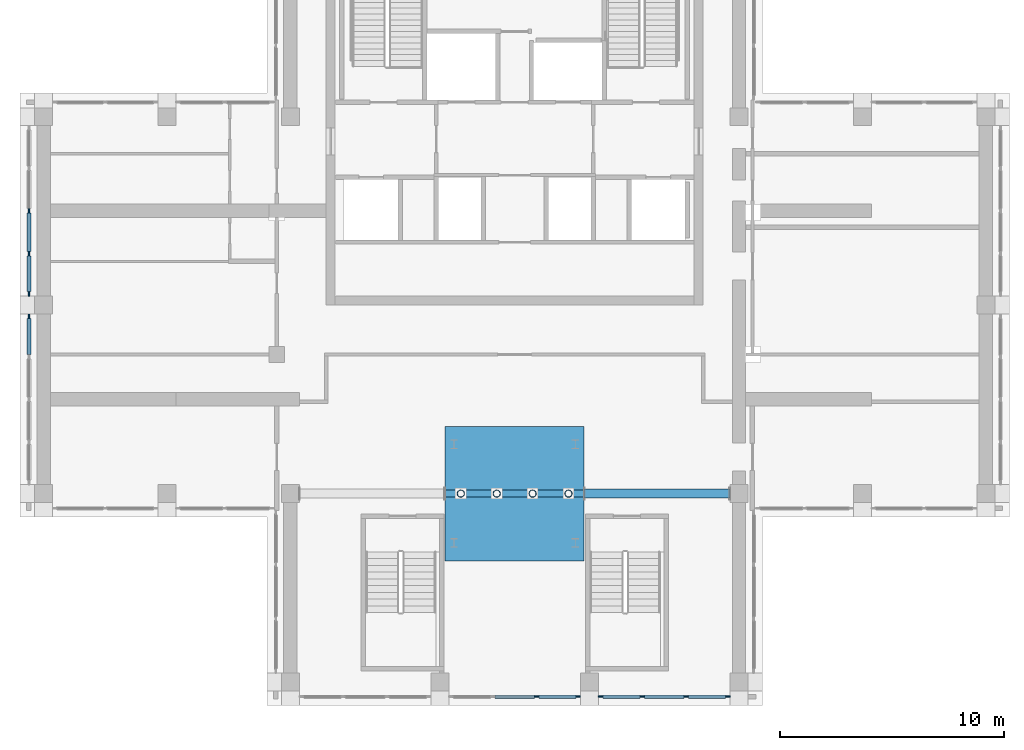
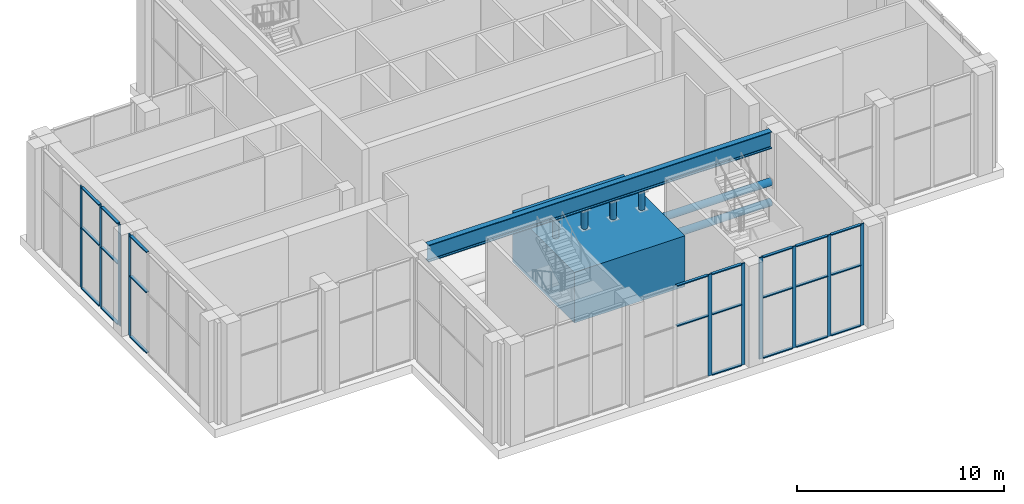
# One storey, part 3 of 14: 40 members, 1 beam, 4 elements without a shape of their own.
"""IFC4 building model written with IfcOpenShell, lengths in metres."""

from ifc_helpers import new_model, si_unit, direction, frame, origin, origin_2d, place, context, subcontext, project, spatial, rectangle, hollow_circle, i_section, extrude, material, material_profile, profile_set, type_object, element, aggregate, save


model = new_model("IFC4")

# Units and contexts
model_context = context("Model", 3, precision=1e-05, world=origin(), true_north=direction((0.0, 1.0)))
body_context = subcontext(model_context, "Body", "Model", "MODEL_VIEW")
ifc_project = project(units=[si_unit("LENGTHUNIT", "METRE"), si_unit("AREAUNIT", "SQUARE_METRE"), si_unit("VOLUMEUNIT", "CUBIC_METRE"), si_unit("PLANEANGLEUNIT", "RADIAN"), si_unit("MASSUNIT", "GRAM", prefix="KILO")], contexts=[model_context])

# Site, building, storey
site_placement = place(None, origin())
site = spatial("IfcSite", under=ifc_project, at=site_placement, CompositionType="ELEMENT")
building_placement = place(site_placement, origin())
building = spatial("IfcBuilding", under=site, at=building_placement, Name="Vermilion Ogive Tower", CompositionType="ELEMENT")
storey_placement = place(building_placement, frame((0.0, 0.0, 278.35009765625)))
storey = spatial("IfcBuildingStorey", under=building, at=storey_placement, Name="L73", CompositionType="ELEMENT", Elevation=278.35009765625)

# Curtain wall, members
ifc_material_1 = material(Name="Laminated solar-control glazing in aluminium frame", Category="aluminium")
curtain_wall_type = type_object("IfcCurtainWallType", Name="Curtain wall CW4", PredefinedType="NOTDEFINED", material=ifc_material_1)
curtain_wall_1_placement = place(storey_placement, origin())
curtain_wall_1 = element("IfcCurtainWall", 1, at=curtain_wall_1_placement, inside=storey, type_object=curtain_wall_type, Name="CW4 glazing S2", PredefinedType="NOTDEFINED")
ifc_material_2 = material(Name="Aluminium mullion", Category="aluminium")
ifc_material_profile_1 = material_profile(ifc_material_2, rectangle(XDim=0.06005859375, YDim=0.199951171875, at=origin_2d()), Name="AL 60x200")
ifc_profile_set_1 = profile_set([ifc_material_profile_1], Name="Aluminium mullion")
member_type_1 = type_object("IfcMemberType", Name="CW4 mullion 60x200", PredefinedType="MULLION", material=ifc_profile_set_1)
member_1_placement = place(storey_placement, frame((0.977783203125, -13.25, 0.0), z_axis=(0.0, 0.0, 1.0), x_axis=(0.0, 1.0, 0.0)))
member_1 = element("IfcMember", 2, at=member_1_placement, type_object=member_type_1, Name="CW4-S2 mullion 3", PredefinedType="MULLION", context=body_context, shape_type="SweptSolid", body=[
    extrude(rectangle(XDim=0.06005859375, YDim=0.199951171875, at=origin_2d()), origin(), (0.0, 0.0, 1.0), 6.0),
])
member_2_placement = place(storey_placement, frame((2.833251953125, -13.25, 0.0), z_axis=(0.0, 0.0, 1.0), x_axis=(0.0, 1.0, 0.0)))
member_2 = element("IfcMember", 3, at=member_2_placement, type_object=member_type_1, Name="CW4-S2 mullion 4", PredefinedType="MULLION", context=body_context, shape_type="SweptSolid", body=[
    extrude(rectangle(XDim=0.06005859375, YDim=0.199951171875, at=origin_2d()), origin(), (0.0, 0.0, 1.0), 6.0),
])

curtain_wall_2_placement = place(storey_placement, origin())
curtain_wall_2 = element("IfcCurtainWall", 4, at=curtain_wall_2_placement, inside=storey, type_object=curtain_wall_type, Name="CW4 glazing S3", PredefinedType="NOTDEFINED")
member_3_placement = place(storey_placement, frame((3.833251953125, -13.25, 0.0), z_axis=(0.0, 0.0, 1.0), x_axis=(0.0, 1.0, 0.0)))
member_3 = element("IfcMember", 5, at=member_3_placement, type_object=member_type_1, Name="CW4-S3 mullion 1", PredefinedType="MULLION", context=body_context, shape_type="SweptSolid", body=[
    extrude(rectangle(XDim=0.06005859375, YDim=0.199951171875, at=origin_2d()), origin(), (0.0, 0.0, 1.0), 6.0),
])
member_4_placement = place(storey_placement, frame((5.68896484375, -13.25, 0.0), z_axis=(0.0, 0.0, 1.0), x_axis=(0.0, 1.0, 0.0)))
member_4 = element("IfcMember", 6, at=member_4_placement, type_object=member_type_1, Name="CW4-S3 mullion 2", PredefinedType="MULLION", context=body_context, shape_type="SweptSolid", body=[
    extrude(rectangle(XDim=0.06005859375, YDim=0.199951171875, at=origin_2d()), origin(), (0.0, 0.0, 1.0), 6.0),
])
member_5_placement = place(storey_placement, frame((7.64453125, -13.25, 0.0), z_axis=(0.0, 0.0, 1.0), x_axis=(0.0, 1.0, 0.0)))
member_5 = element("IfcMember", 7, at=member_5_placement, type_object=member_type_1, Name="CW4-S3 mullion 3", PredefinedType="MULLION", context=body_context, shape_type="SweptSolid", body=[
    extrude(rectangle(XDim=0.06005859375, YDim=0.199951171875, at=origin_2d()), origin(), (0.0, 0.0, 1.0), 6.0),
])
member_6_placement = place(storey_placement, frame((9.5, -13.25, 0.0), z_axis=(0.0, 0.0, 1.0), x_axis=(0.0, 1.0, 0.0)))
member_6 = element("IfcMember", 8, at=member_6_placement, type_object=member_type_1, Name="CW4-S3 mullion 4", PredefinedType="MULLION", context=body_context, shape_type="SweptSolid", body=[
    extrude(rectangle(XDim=0.06005859375, YDim=0.199951171875, at=origin_2d()), origin(), (0.0, 0.0, 1.0), 6.0),
])

curtain_wall_3_placement = place(storey_placement, origin())
curtain_wall_3 = element("IfcCurtainWall", 9, at=curtain_wall_3_placement, inside=storey, type_object=curtain_wall_type, Name="CW4 glazing W1", PredefinedType="NOTDEFINED")
member_7_placement = place(storey_placement, frame((-21.64990234375, 8.39990234375, 0.0), z_axis=(0.0, 0.0, 1.0), x_axis=(1.0, 0.0, 0.0)))
member_7 = element("IfcMember", 10, at=member_7_placement, type_object=member_type_1, Name="CW4-W1 mullion 3", PredefinedType="MULLION", context=body_context, shape_type="SweptSolid", body=[
    extrude(rectangle(XDim=0.06005859375, YDim=0.199951171875, at=origin_2d()), origin(), (0.0, 0.0, 1.0), 6.0),
])
member_8_placement = place(storey_placement, frame((-21.64990234375, 6.5, 0.0), z_axis=(0.0, 0.0, 1.0), x_axis=(1.0, 0.0, 0.0)))
member_8 = element("IfcMember", 11, at=member_8_placement, type_object=member_type_1, Name="CW4-W1 mullion 4", PredefinedType="MULLION", context=body_context, shape_type="SweptSolid", body=[
    extrude(rectangle(XDim=0.06005859375, YDim=0.199951171875, at=origin_2d()), origin(), (0.0, 0.0, 1.0), 6.0),
])
member_9_placement = place(storey_placement, frame((-21.64990234375, 4.699951171875, 0.0), z_axis=(0.0, 0.0, 1.0), x_axis=(1.0, 0.0, 0.0)))
member_9 = element("IfcMember", 12, at=member_9_placement, type_object=member_type_1, Name="CW4-W1 mullion 5", PredefinedType="MULLION", context=body_context, shape_type="SweptSolid", body=[
    extrude(rectangle(XDim=0.06005859375, YDim=0.199951171875, at=origin_2d()), origin(), (0.0, 0.0, 1.0), 6.0),
])

# Curtain wall, member
curtain_wall_4_placement = place(storey_placement, origin())
curtain_wall_4 = element("IfcCurtainWall", 13, at=curtain_wall_4_placement, inside=storey, type_object=curtain_wall_type, Name="CW4 glazing W2", PredefinedType="NOTDEFINED")
member_10_placement = place(storey_placement, frame((-21.64990234375, 3.699951171875, 0.0), z_axis=(0.0, 0.0, 1.0), x_axis=(1.0, 0.0, 0.0)))
member_10 = element("IfcMember", 14, at=member_10_placement, type_object=member_type_1, Name="CW4-W2 mullion 1", PredefinedType="MULLION", context=body_context, shape_type="SweptSolid", body=[
    extrude(rectangle(XDim=0.06005859375, YDim=0.199951171875, at=origin_2d()), origin(), (0.0, 0.0, 1.0), 6.0),
])

# Member
ifc_material_3 = material(Name="Aluminium transom", Category="aluminium")
ifc_material_profile_2 = material_profile(ifc_material_3, rectangle(XDim=0.159912109375, YDim=0.06005859375, at=origin_2d()), Name="AL 60x160")
ifc_profile_set_2 = profile_set([ifc_material_profile_2], Name="Aluminium transom")
member_type_2 = type_object("IfcMemberType", Name="CW4 transom 60x160", PredefinedType="USERDEFINED", material=ifc_profile_set_2)
member_11_placement = place(storey_placement, frame((-0.877685546875, -13.25, 3.599853515625), z_axis=(1.0, 0.0, 0.0), x_axis=(0.0, 1.0, 0.0)))
member_11 = element("IfcMember", 15, at=member_11_placement, type_object=member_type_2, Name="CW4-S2 transom 2.2", ObjectType="TRANSOM", PredefinedType="USERDEFINED", context=body_context, shape_type="SweptSolid", body=[
    extrude(rectangle(XDim=0.159912109375, YDim=0.06005859375, at=origin_2d()), origin(), (0.0, 0.0, 1.0), 1.75537109375),
])

member_12_placement = place(storey_placement, frame((-0.877685546875, -13.25, 5.969970703125), z_axis=(1.0, 0.0, 0.0), x_axis=(0.0, 1.0, 0.0)))
member_12 = element("IfcMember", 16, at=member_12_placement, type_object=member_type_2, Name="CW4-S2 transom 2.3", ObjectType="TRANSOM", PredefinedType="USERDEFINED", context=body_context, shape_type="SweptSolid", body=[
    extrude(rectangle(XDim=0.159912109375, YDim=0.06005859375, at=origin_2d()), origin(), (0.0, 0.0, 1.0), 1.75537109375),
])

member_13_placement = place(storey_placement, frame((1.077880859375, -13.25, 0.02978515625), z_axis=(1.0, 0.0, 0.0), x_axis=(0.0, 1.0, 0.0)))
member_13 = element("IfcMember", 17, at=member_13_placement, type_object=member_type_2, Name="CW4-S2 transom 3.1", ObjectType="TRANSOM", PredefinedType="USERDEFINED", context=body_context, shape_type="SweptSolid", body=[
    extrude(rectangle(XDim=0.159912109375, YDim=0.06005859375, at=origin_2d()), origin(), (0.0, 0.0, 1.0), 1.655517578125),
])

member_14_placement = place(storey_placement, frame((1.077880859375, -13.25, 3.599853515625), z_axis=(1.0, 0.0, 0.0), x_axis=(0.0, 1.0, 0.0)))
member_14 = element("IfcMember", 18, at=member_14_placement, type_object=member_type_2, Name="CW4-S2 transom 3.2", ObjectType="TRANSOM", PredefinedType="USERDEFINED", context=body_context, shape_type="SweptSolid", body=[
    extrude(rectangle(XDim=0.159912109375, YDim=0.06005859375, at=origin_2d()), origin(), (0.0, 0.0, 1.0), 1.655517578125),
])

member_15_placement = place(storey_placement, frame((1.077880859375, -13.25, 5.969970703125), z_axis=(1.0, 0.0, 0.0), x_axis=(0.0, 1.0, 0.0)))
member_15 = element("IfcMember", 19, at=member_15_placement, type_object=member_type_2, Name="CW4-S2 transom 3.3", ObjectType="TRANSOM", PredefinedType="USERDEFINED", context=body_context, shape_type="SweptSolid", body=[
    extrude(rectangle(XDim=0.159912109375, YDim=0.06005859375, at=origin_2d()), origin(), (0.0, 0.0, 1.0), 1.655517578125),
])

aggregate(curtain_wall_1, [member_1, member_2, member_11, member_12, member_13, member_14, member_15])

member_16_placement = place(storey_placement, frame((3.933349609375, -13.25, 0.02978515625), z_axis=(1.0, 0.0, 0.0), x_axis=(0.0, 1.0, 0.0)))
member_16 = element("IfcMember", 20, at=member_16_placement, type_object=member_type_2, Name="CW4-S3 transom 1.1", ObjectType="TRANSOM", PredefinedType="USERDEFINED", context=body_context, shape_type="SweptSolid", body=[
    extrude(rectangle(XDim=0.159912109375, YDim=0.06005859375, at=origin_2d()), origin(), (0.0, 0.0, 1.0), 1.655517578125),
])

member_17_placement = place(storey_placement, frame((3.933349609375, -13.25, 3.599853515625), z_axis=(1.0, 0.0, 0.0), x_axis=(0.0, 1.0, 0.0)))
member_17 = element("IfcMember", 21, at=member_17_placement, type_object=member_type_2, Name="CW4-S3 transom 1.2", ObjectType="TRANSOM", PredefinedType="USERDEFINED", context=body_context, shape_type="SweptSolid", body=[
    extrude(rectangle(XDim=0.159912109375, YDim=0.06005859375, at=origin_2d()), origin(), (0.0, 0.0, 1.0), 1.655517578125),
])

member_18_placement = place(storey_placement, frame((3.933349609375, -13.25, 5.969970703125), z_axis=(1.0, 0.0, 0.0), x_axis=(0.0, 1.0, 0.0)))
member_18 = element("IfcMember", 22, at=member_18_placement, type_object=member_type_2, Name="CW4-S3 transom 1.3", ObjectType="TRANSOM", PredefinedType="USERDEFINED", context=body_context, shape_type="SweptSolid", body=[
    extrude(rectangle(XDim=0.159912109375, YDim=0.06005859375, at=origin_2d()), origin(), (0.0, 0.0, 1.0), 1.655517578125),
])

member_19_placement = place(storey_placement, frame((5.788818359375, -13.25, 0.02978515625), z_axis=(1.0, 0.0, 0.0), x_axis=(0.0, 1.0, 0.0)))
member_19 = element("IfcMember", 23, at=member_19_placement, type_object=member_type_2, Name="CW4-S3 transom 2.1", ObjectType="TRANSOM", PredefinedType="USERDEFINED", context=body_context, shape_type="SweptSolid", body=[
    extrude(rectangle(XDim=0.159912109375, YDim=0.06005859375, at=origin_2d()), origin(), (0.0, 0.0, 1.0), 1.755615234375),
])

member_20_placement = place(storey_placement, frame((5.788818359375, -13.25, 3.599853515625), z_axis=(1.0, 0.0, 0.0), x_axis=(0.0, 1.0, 0.0)))
member_20 = element("IfcMember", 24, at=member_20_placement, type_object=member_type_2, Name="CW4-S3 transom 2.2", ObjectType="TRANSOM", PredefinedType="USERDEFINED", context=body_context, shape_type="SweptSolid", body=[
    extrude(rectangle(XDim=0.159912109375, YDim=0.06005859375, at=origin_2d()), origin(), (0.0, 0.0, 1.0), 1.755615234375),
])

member_21_placement = place(storey_placement, frame((5.788818359375, -13.25, 5.969970703125), z_axis=(1.0, 0.0, 0.0), x_axis=(0.0, 1.0, 0.0)))
member_21 = element("IfcMember", 25, at=member_21_placement, type_object=member_type_2, Name="CW4-S3 transom 2.3", ObjectType="TRANSOM", PredefinedType="USERDEFINED", context=body_context, shape_type="SweptSolid", body=[
    extrude(rectangle(XDim=0.159912109375, YDim=0.06005859375, at=origin_2d()), origin(), (0.0, 0.0, 1.0), 1.755615234375),
])

member_22_placement = place(storey_placement, frame((7.744384765625, -13.25, 0.02978515625), z_axis=(1.0, 0.0, 0.0), x_axis=(0.0, 1.0, 0.0)))
member_22 = element("IfcMember", 26, at=member_22_placement, type_object=member_type_2, Name="CW4-S3 transom 3.1", ObjectType="TRANSOM", PredefinedType="USERDEFINED", context=body_context, shape_type="SweptSolid", body=[
    extrude(rectangle(XDim=0.159912109375, YDim=0.06005859375, at=origin_2d()), origin(), (0.0, 0.0, 1.0), 1.655517578125),
])

member_23_placement = place(storey_placement, frame((7.744384765625, -13.25, 3.599853515625), z_axis=(1.0, 0.0, 0.0), x_axis=(0.0, 1.0, 0.0)))
member_23 = element("IfcMember", 27, at=member_23_placement, type_object=member_type_2, Name="CW4-S3 transom 3.2", ObjectType="TRANSOM", PredefinedType="USERDEFINED", context=body_context, shape_type="SweptSolid", body=[
    extrude(rectangle(XDim=0.159912109375, YDim=0.06005859375, at=origin_2d()), origin(), (0.0, 0.0, 1.0), 1.655517578125),
])

member_24_placement = place(storey_placement, frame((7.744384765625, -13.25, 5.969970703125), z_axis=(1.0, 0.0, 0.0), x_axis=(0.0, 1.0, 0.0)))
member_24 = element("IfcMember", 28, at=member_24_placement, type_object=member_type_2, Name="CW4-S3 transom 3.3", ObjectType="TRANSOM", PredefinedType="USERDEFINED", context=body_context, shape_type="SweptSolid", body=[
    extrude(rectangle(XDim=0.159912109375, YDim=0.06005859375, at=origin_2d()), origin(), (0.0, 0.0, 1.0), 1.655517578125),
])

aggregate(curtain_wall_2, [member_3, member_4, member_5, member_6, member_16, member_17, member_18, member_19, member_20, member_21, member_22, member_23, member_24])

member_25_placement = place(storey_placement, frame((-21.64990234375, 8.300048828125, 0.02978515625), z_axis=(0.0, -1.0, 0.0), x_axis=(1.0, 0.0, 0.0)))
member_25 = element("IfcMember", 29, at=member_25_placement, type_object=member_type_2, Name="CW4-W1 transom 3.1", ObjectType="TRANSOM", PredefinedType="USERDEFINED", context=body_context, shape_type="SweptSolid", body=[
    extrude(rectangle(XDim=0.159912109375, YDim=0.06005859375, at=origin_2d()), origin(), (0.0, 0.0, 1.0), 1.699951171875),
])

member_26_placement = place(storey_placement, frame((-21.64990234375, 8.300048828125, 3.599853515625), z_axis=(0.0, -1.0, 0.0), x_axis=(1.0, 0.0, 0.0)))
member_26 = element("IfcMember", 30, at=member_26_placement, type_object=member_type_2, Name="CW4-W1 transom 3.2", ObjectType="TRANSOM", PredefinedType="USERDEFINED", context=body_context, shape_type="SweptSolid", body=[
    extrude(rectangle(XDim=0.159912109375, YDim=0.06005859375, at=origin_2d()), origin(), (0.0, 0.0, 1.0), 1.699951171875),
])

member_27_placement = place(storey_placement, frame((-21.64990234375, 8.300048828125, 5.969970703125), z_axis=(0.0, -1.0, 0.0), x_axis=(1.0, 0.0, 0.0)))
member_27 = element("IfcMember", 31, at=member_27_placement, type_object=member_type_2, Name="CW4-W1 transom 3.3", ObjectType="TRANSOM", PredefinedType="USERDEFINED", context=body_context, shape_type="SweptSolid", body=[
    extrude(rectangle(XDim=0.159912109375, YDim=0.06005859375, at=origin_2d()), origin(), (0.0, 0.0, 1.0), 1.699951171875),
])

member_28_placement = place(storey_placement, frame((-21.64990234375, 6.39990234375, 0.02978515625), z_axis=(0.0, -1.0, 0.0), x_axis=(1.0, 0.0, 0.0)))
member_28 = element("IfcMember", 32, at=member_28_placement, type_object=member_type_2, Name="CW4-W1 transom 4.1", ObjectType="TRANSOM", PredefinedType="USERDEFINED", context=body_context, shape_type="SweptSolid", body=[
    extrude(rectangle(XDim=0.159912109375, YDim=0.06005859375, at=origin_2d()), origin(), (0.0, 0.0, 1.0), 1.599853515625),
])

member_29_placement = place(storey_placement, frame((-21.64990234375, 6.39990234375, 3.599853515625), z_axis=(0.0, -1.0, 0.0), x_axis=(1.0, 0.0, 0.0)))
member_29 = element("IfcMember", 33, at=member_29_placement, type_object=member_type_2, Name="CW4-W1 transom 4.2", ObjectType="TRANSOM", PredefinedType="USERDEFINED", context=body_context, shape_type="SweptSolid", body=[
    extrude(rectangle(XDim=0.159912109375, YDim=0.06005859375, at=origin_2d()), origin(), (0.0, 0.0, 1.0), 1.599853515625),
])

member_30_placement = place(storey_placement, frame((-21.64990234375, 6.39990234375, 5.969970703125), z_axis=(0.0, -1.0, 0.0), x_axis=(1.0, 0.0, 0.0)))
member_30 = element("IfcMember", 34, at=member_30_placement, type_object=member_type_2, Name="CW4-W1 transom 4.3", ObjectType="TRANSOM", PredefinedType="USERDEFINED", context=body_context, shape_type="SweptSolid", body=[
    extrude(rectangle(XDim=0.159912109375, YDim=0.06005859375, at=origin_2d()), origin(), (0.0, 0.0, 1.0), 1.599853515625),
])

aggregate(curtain_wall_3, [member_7, member_8, member_9, member_25, member_26, member_27, member_28, member_29, member_30])

member_31_placement = place(storey_placement, frame((-21.64990234375, 3.60009765625, 0.02978515625), z_axis=(0.0, -1.0, 0.0), x_axis=(1.0, 0.0, 0.0)))
member_31 = element("IfcMember", 35, at=member_31_placement, type_object=member_type_2, Name="CW4-W2 transom 1.1", ObjectType="TRANSOM", PredefinedType="USERDEFINED", context=body_context, shape_type="SweptSolid", body=[
    extrude(rectangle(XDim=0.159912109375, YDim=0.06005859375, at=origin_2d()), origin(), (0.0, 0.0, 1.0), 1.60009765625),
])

member_32_placement = place(storey_placement, frame((-21.64990234375, 3.60009765625, 3.599853515625), z_axis=(0.0, -1.0, 0.0), x_axis=(1.0, 0.0, 0.0)))
member_32 = element("IfcMember", 36, at=member_32_placement, type_object=member_type_2, Name="CW4-W2 transom 1.2", ObjectType="TRANSOM", PredefinedType="USERDEFINED", context=body_context, shape_type="SweptSolid", body=[
    extrude(rectangle(XDim=0.159912109375, YDim=0.06005859375, at=origin_2d()), origin(), (0.0, 0.0, 1.0), 1.60009765625),
])

member_33_placement = place(storey_placement, frame((-21.64990234375, 3.60009765625, 5.969970703125), z_axis=(0.0, -1.0, 0.0), x_axis=(1.0, 0.0, 0.0)))
member_33 = element("IfcMember", 37, at=member_33_placement, type_object=member_type_2, Name="CW4-W2 transom 1.3", ObjectType="TRANSOM", PredefinedType="USERDEFINED", context=body_context, shape_type="SweptSolid", body=[
    extrude(rectangle(XDim=0.159912109375, YDim=0.06005859375, at=origin_2d()), origin(), (0.0, 0.0, 1.0), 1.60009765625),
])

aggregate(curtain_wall_4, [member_10, member_31, member_32, member_33])

# Beam
ifc_material_4 = material(Name="Steel S355", Category="steel")
ifc_material_profile_3 = material_profile(ifc_material_4, i_section(OverallWidth=0.302001953125, OverallDepth=1.008056640625, WebThickness=0.02099609375, FlangeThickness=0.0400390625, FilletRadius=0.030029296875, at=origin_2d()), Name="HEM 1000")
ifc_profile_set_3 = profile_set([ifc_material_profile_3], Name="Steel S355")
beam_type = type_object("IfcBeamType", Name="Damper floor main girder HEM 1000", PredefinedType="BEAM", material=ifc_profile_set_3)
beam_placement = place(storey_placement, frame((-9.60009765625, -4.199951171875, 5.495849609375), z_axis=(1.0, 0.0, 0.0), x_axis=(0.0, 1.0, 0.0)))
element("IfcBeam", 38, at=beam_placement, inside=storey, type_object=beam_type, Name="L73-TMD-1", PredefinedType="BEAM", context=body_context, shape_type="SweptSolid", body=[
    extrude(i_section(OverallWidth=0.302001953125, OverallDepth=1.008056640625, WebThickness=0.02099609375, FlangeThickness=0.0400390625, FilletRadius=0.030029296875, at=origin_2d()), origin(), (0.0, 0.0, 1.0), 19.2001953125),
])

# Members
ifc_material_5 = material(Name="Concrete B60", Category="concrete")
ifc_material_profile_4 = material_profile(ifc_material_5, rectangle(XDim=6.0, YDim=3.0, at=origin_2d()), Name="RC 6000x3000")
ifc_profile_set_4 = profile_set([ifc_material_profile_4], Name="Concrete B60")
member_type_3 = type_object("IfcMemberType", Name="Tuned mass block TM1 6000x3000", PredefinedType="USERDEFINED", material=ifc_profile_set_4)
member_34_placement = place(storey_placement, frame((-3.10009765625, -4.199951171875, 2.349853515625), z_axis=(1.0, 0.0, 0.0), x_axis=(0.0, 1.0, 0.0)))
element("IfcMember", 39, at=member_34_placement, inside=storey, type_object=member_type_3, Name="Tuned mass damper block", ObjectType="MASS", PredefinedType="USERDEFINED", context=body_context, shape_type="SweptSolid", body=[
    extrude(rectangle(XDim=6.0, YDim=3.0, at=origin_2d()), origin(), (0.0, 0.0, 1.0), 6.2001953125),
])
ifc_material_6 = material(Name="Steel S355", Category="steel")
ifc_material_profile_5 = material_profile(ifc_material_6, hollow_circle(Radius=0.161865234375, WallThickness=0.012451171875, at=origin_2d()), Name="CHS 323.9x12.5")
ifc_profile_set_5 = profile_set([ifc_material_profile_5], Name="Steel S355")
member_type_4 = type_object("IfcMemberType", Name="Tuned mass damper hanger CHS 323.9x12.5", PredefinedType="STRUT", material=ifc_profile_set_5)
for number, where, z_axis, x_axis, name in (
    (40, (-2.39990234375, -4.199951171875, 3.8798828125), (0.0, 0.0, 1.0), (1.0, 0.0, 0.0), "Tuned mass damper hanger 1"),
    (41, (-0.800048828125, -4.199951171875, 3.8798828125), (0.0, 0.0, 1.0), (1.0, 0.0, 0.0), "Tuned mass damper hanger 2"),
    (42, (0.800048828125, -4.199951171875, 3.8798828125), (0.0, 0.0, 1.0), (1.0, 0.0, 0.0), "Tuned mass damper hanger 3"),
    (43, (2.39990234375, -4.199951171875, 3.8798828125), (0.0, 0.0, 1.0), (1.0, 0.0, 0.0), "Tuned mass damper hanger 4"),
):
    element("IfcMember", number, at=place(storey_placement, frame(where, z_axis=z_axis, x_axis=x_axis)), inside=storey, type_object=member_type_4, Name=name, PredefinedType="STRUT", context=body_context, shape_type="SweptSolid", body=[
        extrude(hollow_circle(Radius=0.161865234375, WallThickness=0.012451171875, at=origin_2d()), origin(), (0.0, 0.0, 1.0), 1.08203125),
    ])
ifc_material_7 = material(Name="Steel S355", Category="steel")
ifc_material_profile_6 = material_profile(ifc_material_7, hollow_circle(Radius=0.203125, WallThickness=0.01611328125, at=origin_2d()), Name="CHS 406.4x16")
ifc_profile_set_6 = profile_set([ifc_material_profile_6], Name="Steel S355")
member_type_5 = type_object("IfcMemberType", Name="Tuned mass viscous damper CHS 406.4x16", PredefinedType="BRACE", material=ifc_profile_set_6)
for number, where, z_axis, x_axis, name in (
    (44, (3.10009765625, -4.199951171875, 1.749755859375), (1.0, 0.0, 0.0), (0.0, 1.0, 0.0), "Tuned mass viscous damper 3"),
    (45, (3.10009765625, -4.199951171875, 2.949951171875), (1.0, 0.0, 0.0), (0.0, 1.0, 0.0), "Tuned mass viscous damper 4"),
):
    element("IfcMember", number, at=place(storey_placement, frame(where, z_axis=z_axis, x_axis=x_axis)), inside=storey, type_object=member_type_5, Name=name, PredefinedType="BRACE", context=body_context, shape_type="SweptSolid", body=[
        extrude(hollow_circle(Radius=0.203125, WallThickness=0.01611328125, at=origin_2d()), origin(), (0.0, 0.0, 1.0), 6.5),
    ])

save(model, "model.ifc")
